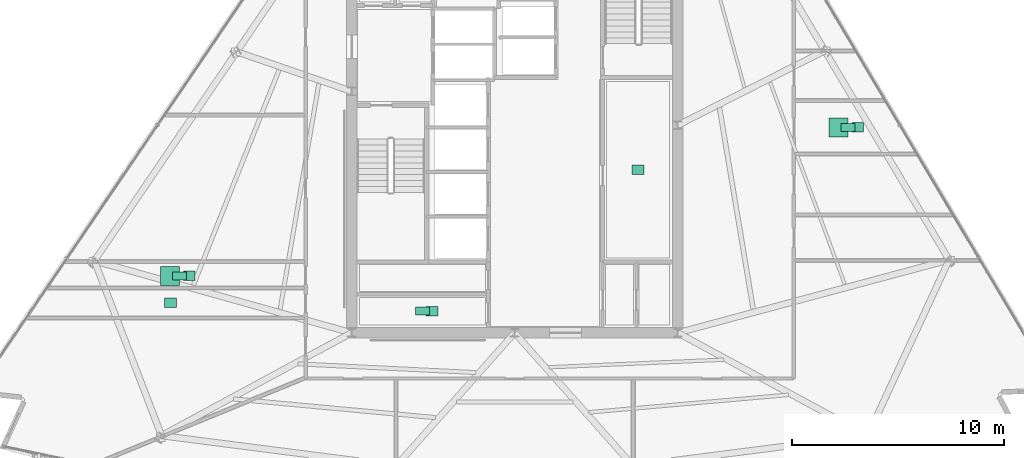
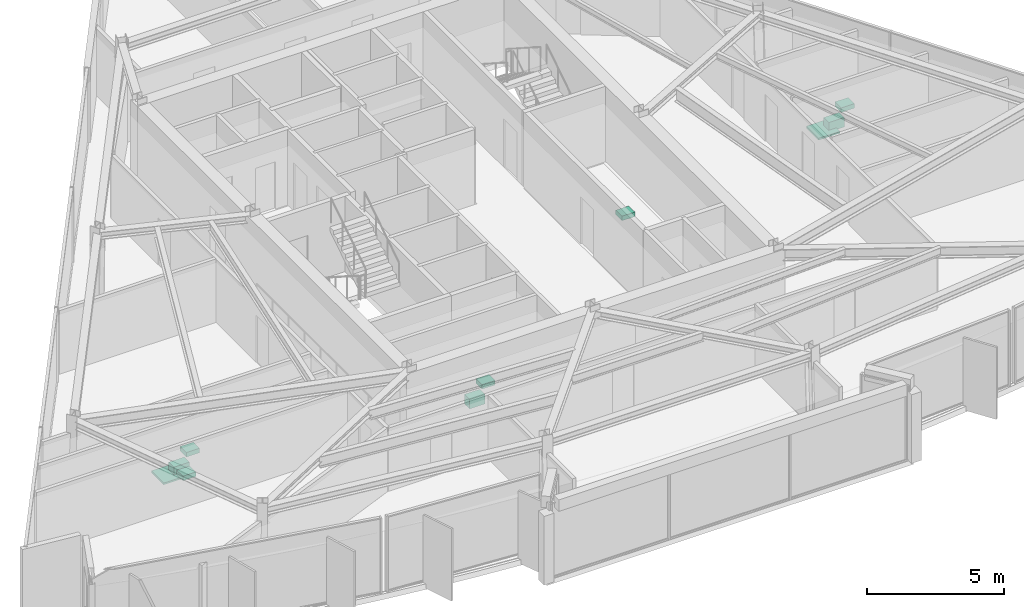
# One storey, part 14 of 14: 10 sanitary terminals.
"""IFC4 building model written with IfcOpenShell, lengths in metres."""

from ifc_helpers import new_model, si_unit, direction, frame, origin, origin_2d, place, context, subcontext, project, spatial, rectangle, extrude, material, type_object, element, save


model = new_model("IFC4")

# Units and contexts
model_context = context("Model", 3, precision=1e-05, world=origin(), true_north=direction((0.0, 1.0)))
body_context = subcontext(model_context, "Body", "Model", "MODEL_VIEW")
ifc_project = project(units=[si_unit("LENGTHUNIT", "METRE"), si_unit("AREAUNIT", "SQUARE_METRE"), si_unit("VOLUMEUNIT", "CUBIC_METRE"), si_unit("PLANEANGLEUNIT", "RADIAN"), si_unit("MASSUNIT", "GRAM", prefix="KILO")], contexts=[model_context])

# Site, building, storey
site_placement = place(None, origin())
site = spatial("IfcSite", under=ifc_project, at=site_placement, CompositionType="ELEMENT")
building_placement = place(site_placement, origin())
building = spatial("IfcBuilding", under=site, at=building_placement, Name="Savorim Split Tower", CompositionType="ELEMENT")
storey_placement = place(building_placement, frame((0.0, 0.0, 209.10009765625)))
storey = spatial("IfcBuildingStorey", under=building, at=storey_placement, Name="L55", CompositionType="ELEMENT", Elevation=209.10009765625)

# Sanitary terminals
ifc_material = material(Name="Vitreous China Sanitaryware")
sanitary_terminal_type_1 = type_object("IfcSanitaryTerminalType", Name="SAN-SHW-900", PredefinedType="SHOWER", material=ifc_material)
for number, where, z_axis, x_axis, name in (
    (1, (-16.2666015625, -6.715087890625, -0.000244140625), (0.0, 0.0, 1.0), (1.0, 0.0, 0.0), "L55 Shared Bathroom Shower"),
    (2, (15.29150390625, 0.302001953125, -0.000244140625), (0.0, 0.0, 1.0), (1.0, 0.0, 0.0), "L55 Shared Bathroom Shower"),
):
    element("IfcSanitaryTerminal", number, at=place(storey_placement, frame(where, z_axis=z_axis, x_axis=x_axis)), inside=storey, type_object=sanitary_terminal_type_1, Name=name, PredefinedType="SHOWER", context=body_context, shape_type="SweptSolid", body=[
        extrude(rectangle(XDim=0.89990234375, YDim=0.89990234375, at=origin_2d()), origin(), (0.0, 0.0, 1.0), 0.080078125),
    ])
sanitary_terminal_type_2 = type_object("IfcSanitaryTerminalType", Name="SAN-WC-PAN", PredefinedType="TOILETPAN", material=ifc_material)
for number, where, z_axis, x_axis, name in (
    (3, (-4.35009765625, -8.3701171875, 0.0), (0.0, 0.0, 1.0), (1.0, 0.0, 0.0), "L55 Public WC WC Pan"),
    (4, (-15.816650390625, -6.715087890625, 0.0), (0.0, 0.0, 1.0), (1.0, 0.0, 0.0), "L55 Shared Bathroom WC Pan"),
    (5, (15.741455078125, 0.302001953125, 0.0), (0.0, 0.0, 1.0), (1.0, 0.0, 0.0), "L55 Shared Bathroom WC Pan"),
):
    element("IfcSanitaryTerminal", number, at=place(storey_placement, frame(where, z_axis=z_axis, x_axis=x_axis)), inside=storey, type_object=sanitary_terminal_type_2, Name=name, PredefinedType="TOILETPAN", context=body_context, shape_type="SweptSolid", body=[
        extrude(rectangle(XDim=0.64990234375, YDim=0.3798828125, at=origin_2d()), origin(), (0.0, 0.0, 1.0), 0.419921875),
    ])
sanitary_terminal_type_3 = type_object("IfcSanitaryTerminalType", Name="SAN-WHB-550", PredefinedType="WASHHANDBASIN", material=ifc_material)
for number, where, z_axis, x_axis, name in (
    (6, (5.824951171875, -1.699951171875, 0.75), (0.0, 0.0, 1.0), (1.0, 0.0, 0.0), "L55 Community Laundry Room Utility Sink"),
    (7, (-3.89990234375, -8.3701171875, 0.7197265625), (0.0, 0.0, 1.0), (1.0, 0.0, 0.0), "L55 Public WC Washhand Basin"),
    (8, (-15.36669921875, -6.715087890625, 0.7197265625), (0.0, 0.0, 1.0), (1.0, 0.0, 0.0), "L55 Shared Bathroom Washhand Basin"),
    (9, (-16.25, -7.989501953125, 0.75), (0.0, 0.0, 1.0), (1.0, 0.0, 0.0), "L55 Shared Kitchen Utility Sink"),
    (10, (16.19140625, 0.302001953125, 0.7197265625), (0.0, 0.0, 1.0), (1.0, 0.0, 0.0), "L55 Shared Bathroom Washhand Basin"),
):
    element("IfcSanitaryTerminal", number, at=place(storey_placement, frame(where, z_axis=z_axis, x_axis=x_axis)), inside=storey, type_object=sanitary_terminal_type_3, Name=name, PredefinedType="WASHHANDBASIN", context=body_context, shape_type="SweptSolid", body=[
        extrude(rectangle(XDim=0.550048828125, YDim=0.449951171875, at=origin_2d()), origin(), (0.0, 0.0, 1.0), 0.199951171875),
    ])

save(model, "model.ifc")
